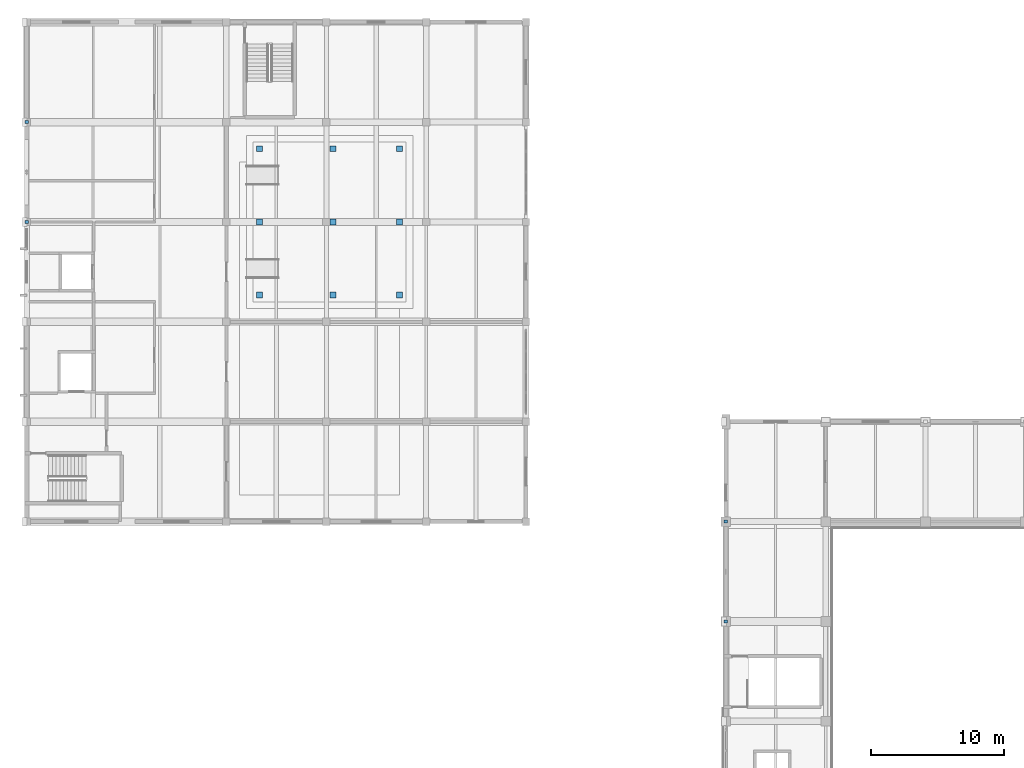
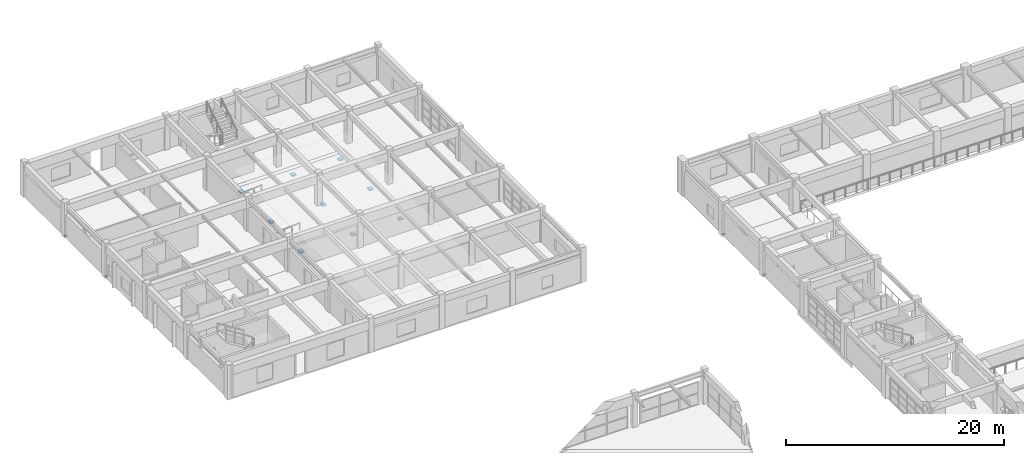
# One storey, part 85 of 101: 13 discrete accessories.
"""IFC4 building model written with IfcOpenShell, lengths in metres."""

from ifc_helpers import new_model, si_unit, direction, frame, origin, origin_2d, place, context, subcontext, project, spatial, rectangle, extrude, material, type_object, element, save


model = new_model("IFC4")

# Units and contexts
model_context = context("Model", 3, precision=1e-05, world=origin(), true_north=direction((0.0, 1.0)))
body_context = subcontext(model_context, "Body", "Model", "MODEL_VIEW")
ifc_project = project(units=[si_unit("LENGTHUNIT", "METRE"), si_unit("AREAUNIT", "SQUARE_METRE"), si_unit("VOLUMEUNIT", "CUBIC_METRE"), si_unit("PLANEANGLEUNIT", "RADIAN"), si_unit("MASSUNIT", "GRAM", prefix="KILO")], contexts=[model_context])

# Site, building, storey
site_placement = place(None, origin())
site = spatial("IfcSite", under=ifc_project, at=site_placement, CompositionType="ELEMENT")
building_placement = place(site_placement, origin())
building = spatial("IfcBuilding", under=site, at=building_placement, Name="Qasida Concert Hall", CompositionType="ELEMENT")
storey_placement = place(building_placement, frame((0.0, 0.0, 13.199951171875)))
storey = spatial("IfcBuildingStorey", under=building, at=storey_placement, Name="L03", CompositionType="ELEMENT", Elevation=13.199951171875)

# Discrete accessories
ifc_material = material(Name="Steel S355J2", Category="steel")
discrete_accessory_type_1 = type_object("IfcDiscreteAccessoryType", Name="ACC-CONN-S355", PredefinedType="BRACKET", material=ifc_material)
for number, where, z_axis, x_axis, name in (
    (1, (52.5, 67.5, -0.011962890625), (0.0, 0.0, 1.0), (1.0, 0.0, 0.0), "Steel brace/strut end connection CN-0186"),
    (2, (52.5, 75.0, -0.011962890625), (0.0, 0.0, 1.0), (1.0, 0.0, 0.0), "Steel brace/strut end connection CN-0187"),
    (3, (0.0, 97.5, -0.011962890625), (0.0, 0.0, 1.0), (1.0, 0.0, 0.0), "Steel brace/strut end connection CN-0242"),
    (4, (0.0, 105.0, -0.011962890625), (0.0, 0.0, 1.0), (1.0, 0.0, 0.0), "Steel brace/strut end connection CN-0243"),
):
    element("IfcDiscreteAccessory", number, at=place(storey_placement, frame(where, z_axis=z_axis, x_axis=x_axis)), inside=storey, type_object=discrete_accessory_type_1, Name=name, PredefinedType="BRACKET", context=body_context, shape_type="SweptSolid", body=[
        extrude(rectangle(XDim=0.280029296875, YDim=0.239990234375, at=origin_2d()), origin(), (0.0, 0.0, 1.0), 0.02392578125),
    ])
discrete_accessory_type_2 = type_object("IfcDiscreteAccessoryType", Name="ACC-SPRING-4HZ", PredefinedType="BRACKET", material=ifc_material)
for number, where, z_axis, x_axis, name in (
    (5, (17.5, 92.0, -0.080078125), (0.0, 0.0, 1.0), (1.0, 0.0, 0.0), "Acoustic spring isolator ASI-001"),
    (6, (17.5, 97.5, -0.080078125), (0.0, 0.0, 1.0), (1.0, 0.0, 0.0), "Acoustic spring isolator ASI-002"),
    (7, (17.5, 103.0, -0.080078125), (0.0, 0.0, 1.0), (1.0, 0.0, 0.0), "Acoustic spring isolator ASI-003"),
    (8, (23.0, 92.0, -0.080078125), (0.0, 0.0, 1.0), (1.0, 0.0, 0.0), "Acoustic spring isolator ASI-004"),
    (9, (23.0, 97.5, -0.080078125), (0.0, 0.0, 1.0), (1.0, 0.0, 0.0), "Acoustic spring isolator ASI-005"),
    (10, (23.0, 103.0, -0.080078125), (0.0, 0.0, 1.0), (1.0, 0.0, 0.0), "Acoustic spring isolator ASI-006"),
    (11, (28.0, 92.0, -0.080078125), (0.0, 0.0, 1.0), (1.0, 0.0, 0.0), "Acoustic spring isolator ASI-007"),
    (12, (28.0, 97.5, -0.080078125), (0.0, 0.0, 1.0), (1.0, 0.0, 0.0), "Acoustic spring isolator ASI-008"),
    (13, (28.0, 103.0, -0.080078125), (0.0, 0.0, 1.0), (1.0, 0.0, 0.0), "Acoustic spring isolator ASI-009"),
):
    element("IfcDiscreteAccessory", number, at=place(storey_placement, frame(where, z_axis=z_axis, x_axis=x_axis)), inside=storey, type_object=discrete_accessory_type_2, Name=name, PredefinedType="BRACKET", context=body_context, shape_type="SweptSolid", body=[
        extrude(rectangle(XDim=0.449951171875, YDim=0.449951171875, at=origin_2d()), origin(), (0.0, 0.0, 1.0), 0.159912109375),
    ])

save(model, "model.ifc")
